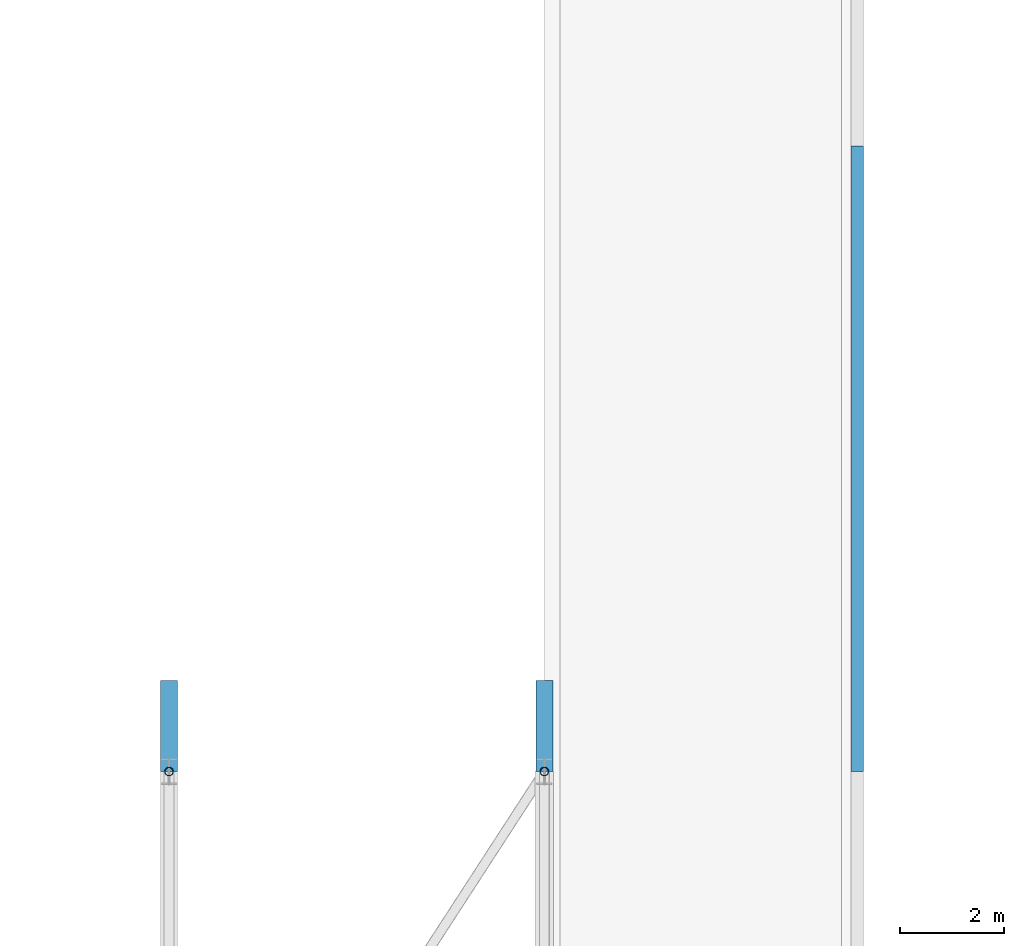
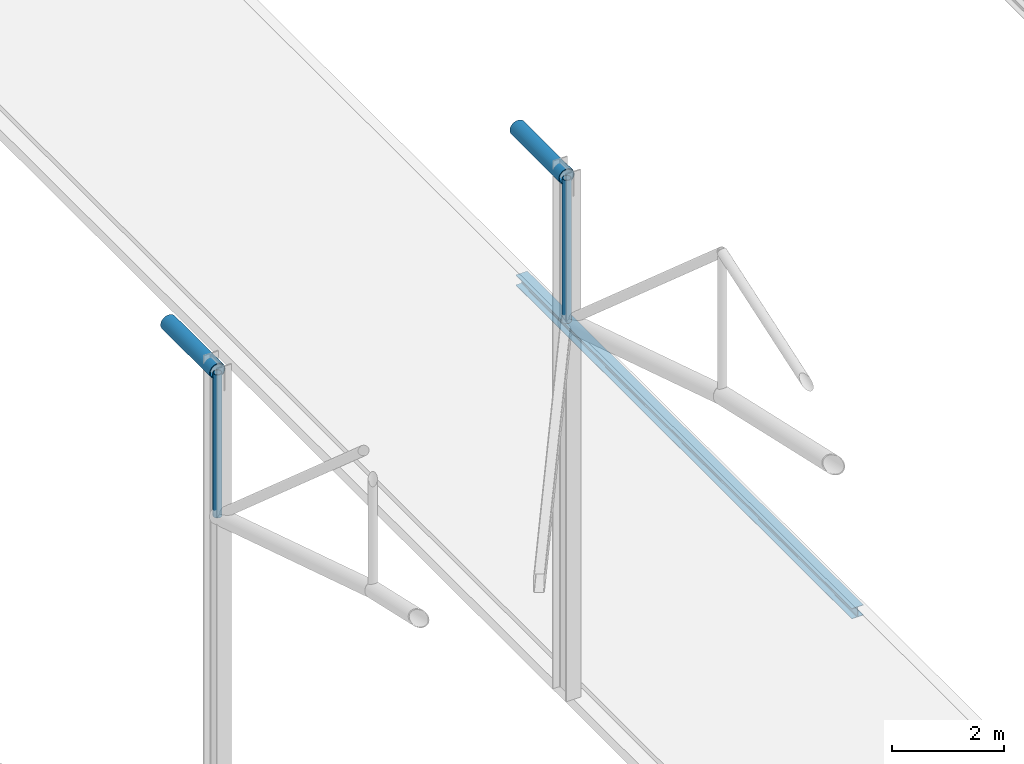
# One storey, part 75 of 153: 3 beams, 2 members.
"""IFC4 building model written with IfcOpenShell, lengths in metres."""

import ifcopenshell
import ifcopenshell.guid

model = None  # the IFC model being written
_history = None  # IfcOwnerHistory: only IFC2X3 demands one
_inside = {}  # id of a spatial element -> (the spatial element, [elements in it])
_under = {}  # id of a project, library or spatial element -> (it, [spatial elements below it])
_declared = {}  # id of a project -> (the project, [libraries it declares])
_typed = {}  # id of a type object -> (the type object, [elements of that type])
_made_of = {}  # id of a material, layer set ... -> (it, [elements and type objects made of it])


def new_model(schema):
    """Start an empty IFC model of exactly this schema.

    Asked for "IFC4X3", IfcOpenShell would pick the latest addendum, in which some entities
    have other attributes; the version numbers below select the first issue.
    IFC2X3 requires an IfcOwnerHistory on every rooted entity: one is made here for all.
    """
    global model, _history
    if schema == "IFC4X3":
        model = ifcopenshell.file(schema_version=(4, 3, 0, 0))
    else:
        model = ifcopenshell.file(schema=schema)
    _inside.clear()
    _under.clear()
    _declared.clear()
    _typed.clear()
    _made_of.clear()
    _history = None
    if model.schema == "IFC2X3":
        org = make("IfcOrganization", Name="unknown")
        user = make(
            "IfcPersonAndOrganization",
            ThePerson=make("IfcPerson", FamilyName="unknown"),
            TheOrganization=org,
        )
        app = make(
            "IfcApplication",
            ApplicationDeveloper=org,
            Version="unknown",
            ApplicationFullName="unknown",
            ApplicationIdentifier="unknown",
        )
        _history = make(
            "IfcOwnerHistory",
            OwningUser=user,
            OwningApplication=app,
            ChangeAction="ADDED",
            CreationDate=0,
        )
    return model


def make(cls, **values):
    """One entity of the class cls with the attributes given. An attribute that is None is left unset."""
    return model.create_entity(
        cls, **{name: value for name, value in values.items() if value is not None}
    )


def rooted(cls, **values):
    """An entity with a GlobalId (a new one), such as an element, a storey or a relation."""
    return make(cls, GlobalId=ifcopenshell.guid.new(), OwnerHistory=_history, **values)


def si_unit(unit_type, name, prefix=None):
    """IfcSIUnit, for example si_unit("LENGTHUNIT", "METRE", prefix="MILLI")."""
    return make("IfcSIUnit", UnitType=unit_type, Prefix=prefix, Name=name)


def derived_unit(unit_type, elements):
    """IfcDerivedUnit: a product of units, each with its exponent."""
    return make(
        "IfcDerivedUnit",
        Elements=[
            make("IfcDerivedUnitElement", Unit=unit, Exponent=power)
            for unit, power in elements
        ],
        UnitType=unit_type,
    )


def assignment(units):
    """IfcUnitAssignment: the units of a project."""
    return None if units is None else make("IfcUnitAssignment", Units=units)


def point(xyz):
    """IfcCartesianPoint."""
    return None if xyz is None else make("IfcCartesianPoint", Coordinates=xyz)


def direction(xyz):
    """IfcDirection."""
    return None if xyz is None else make("IfcDirection", DirectionRatios=xyz)


def frame(location, z_axis=None, x_axis=None):
    """IfcAxis2Placement3D, a coordinate frame: its origin and axes. An axis left out is left unset."""
    return make(
        "IfcAxis2Placement3D",
        Location=point(location),
        Axis=direction(z_axis),
        RefDirection=direction(x_axis),
    )


def frame_2d(location, x_axis=None):
    """IfcAxis2Placement2D, a coordinate frame in the plane: its origin and x axis."""
    return make(
        "IfcAxis2Placement2D", Location=point(location), RefDirection=direction(x_axis)
    )


def origin():
    """The frame at (0, 0, 0) with its axes left unset."""
    return frame((0.0, 0.0, 0.0))


def origin_2d():
    """The frame at (0, 0) in the plane with its x axis left unset."""
    return frame_2d((0.0, 0.0))


def place(relative_to, where):
    """IfcLocalPlacement: puts the frame where relative to a parent placement (None: the world)."""
    return make(
        "IfcLocalPlacement", PlacementRelTo=relative_to, RelativePlacement=where
    )


def context(
    kind, dimensions, precision=None, world=None, true_north=None, identifier=None
):
    """IfcGeometricRepresentationContext, for example the 3D "Model" context."""
    return make(
        "IfcGeometricRepresentationContext",
        ContextIdentifier=identifier,
        ContextType=kind,
        CoordinateSpaceDimension=dimensions,
        Precision=precision,
        WorldCoordinateSystem=world,
        TrueNorth=true_north,
    )


def subcontext(parent, identifier, kind, view, scale=None):
    """IfcGeometricRepresentationSubContext, for example "Body" below "Model"."""
    return make(
        "IfcGeometricRepresentationSubContext",
        ContextIdentifier=identifier,
        ContextType=kind,
        ParentContext=parent,
        TargetScale=scale,
        TargetView=view,
    )


def project(units=None, contexts=None):
    """IfcProject with its units and contexts."""
    return rooted(
        "IfcProject",
        Name="project",
        RepresentationContexts=contexts,
        UnitsInContext=assignment(units),
    )


def spatial(cls, under=None, at=None, **own):
    """A site, building, storey or space (cls), placed at a placement, below another one or the project."""
    s = rooted(cls, ObjectPlacement=at, **own)
    if under is not None:
        _under.setdefault(under.id(), (under, []))[1].append(s)
    return s


def profile(cls, at=None, kind="AREA", **sizes):
    """A parametric profile (cls). Its sizes go by their IFC names, for example OverallWidth=200.0."""
    return make(cls, ProfileType=kind, Position=at, **sizes)


def hollow_circle(**sizes):
    """IfcCircleHollowProfileDef."""
    return profile("IfcCircleHollowProfileDef", **sizes)


def i_section(**sizes):
    """IfcIShapeProfileDef."""
    return profile("IfcIShapeProfileDef", **sizes)


def extrude(swept, where, along, depth):
    """IfcExtrudedAreaSolid: the profile swept, set in the frame where, extruded along a direction by depth."""
    return make(
        "IfcExtrudedAreaSolid",
        SweptArea=swept,
        Position=where,
        ExtrudedDirection=direction(along),
        Depth=depth,
    )


def shape(context_of_items, identifier, shape_type, items):
    """IfcShapeRepresentation: the items that make up one representation, for example the "Body"."""
    return make(
        "IfcShapeRepresentation",
        ContextOfItems=context_of_items,
        RepresentationIdentifier=identifier,
        RepresentationType=shape_type,
        Items=items,
    )


def material(Name=None, Category=None):
    """IfcMaterial."""
    return make("IfcMaterial", Name=Name, Category=Category)


def material_profile(
    of_material, cross_section, Name=None, Category=None, Priority=None
):
    """IfcMaterialProfile: a cross section and its material."""
    return make(
        "IfcMaterialProfile",
        Name=Name,
        Material=of_material,
        Profile=cross_section,
        Priority=Priority,
        Category=Category,
    )


def profile_set(profiles, Name=None, composite=None):
    """IfcMaterialProfileSet."""
    return make(
        "IfcMaterialProfileSet",
        Name=Name,
        MaterialProfiles=profiles,
        CompositeProfile=composite,
    )


def made_of(thing, what):
    """Note that an element or type object is made of a material, layer set ...; save() writes the relation."""
    if what is not None:
        _made_of.setdefault(what.id(), (what, []))[1].append(thing)
    return thing


def type_object(cls, material=None, **own):
    """A type object (cls), such as IfcWallType, which elements share."""
    return made_of(rooted(cls, **own), material)


def element(
    cls,
    number,
    at=None,
    inside=None,
    cuts=None,
    type_object=None,
    material=None,
    context=None,
    identifier="Body",
    shape_type=None,
    held_by="IfcProductDefinitionShape",
    body=None,
    shapes=None,
    **own,
):
    """One element of the class cls, such as IfcWall. Its Tag is "e" and its number.

    at: its placement. inside: the storey or other place that contains it. cuts: it is an
    opening in that element (IfcRelVoidsElement). A single representation is given by context,
    identifier, shape_type and body (its items); several are given by shapes. held_by: the class
    of the entity that holds the representations. save() writes the other relations.
    """
    e = rooted(cls, Tag="e%d" % number, ObjectPlacement=at, **own)
    if body is not None:
        shapes = [shape(context, identifier, shape_type, body)]
    if shapes is not None:
        e.Representation = make(held_by, Representations=shapes)
    if inside is not None:
        _inside.setdefault(inside.id(), (inside, []))[1].append(e)
    if cuts is not None:
        rooted(
            "IfcRelVoidsElement", RelatingBuildingElement=cuts, RelatedOpeningElement=e
        )
    if type_object is not None:
        _typed.setdefault(type_object.id(), (type_object, []))[1].append(e)
    return made_of(e, material)


def aggregate(whole, parts):
    """IfcRelAggregates: a whole, such as a stair, and the parts it consists of."""
    return rooted("IfcRelAggregates", RelatingObject=whole, RelatedObjects=parts)


def save(model, path):
    """Write the relations noted so far, then the file.

    IfcRelAggregates (storeys below a building ...), IfcRelContainedInSpatialStructure (elements
    in a storey), IfcRelDefinesByType, IfcRelAssociatesMaterial and IfcRelDeclares: one each for
    every whole, place, type object, material and project.
    """
    for whole, parts in _under.values():
        aggregate(whole, parts)
    for where, things in _inside.values():
        rooted(
            "IfcRelContainedInSpatialStructure",
            RelatedElements=things,
            RelatingStructure=where,
        )
    for kind, things in _typed.values():
        rooted("IfcRelDefinesByType", RelatedObjects=things, RelatingType=kind)
    for what, things in _made_of.values():
        rooted("IfcRelAssociatesMaterial", RelatedObjects=things, RelatingMaterial=what)
    for by, libraries in _declared.values():
        rooted("IfcRelDeclares", RelatingContext=by, RelatedDefinitions=libraries)
    model.write(path)


model = new_model("IFC4")

# Units and contexts
model_context = context("Model", 3, precision=1e-05, world=origin(), true_north=direction((0.0, 1.0)))
body_context = subcontext(model_context, "Body", "Model", "MODEL_VIEW")
ifc_project = project(units=[si_unit("LENGTHUNIT", "METRE"), si_unit("AREAUNIT", "SQUARE_METRE"), si_unit("VOLUMEUNIT", "CUBIC_METRE"), si_unit("PLANEANGLEUNIT", "RADIAN"), si_unit("MASSUNIT", "GRAM", prefix="KILO"), derived_unit("THERMALTRANSMITTANCEUNIT", [(si_unit("POWERUNIT", "WATT"), 1), (si_unit("LENGTHUNIT", "METRE"), -2), (si_unit("THERMODYNAMICTEMPERATUREUNIT", "KELVIN"), -1)])], contexts=[model_context])

# Site, building, storey
site_placement = place(None, origin())
site = spatial("IfcSite", under=ifc_project, at=site_placement, CompositionType="ELEMENT")
building_placement = place(site_placement, origin())
building = spatial("IfcBuilding", under=site, at=building_placement, Name="Keldorne Ridge Multi-Sports Centre", CompositionType="ELEMENT")
storey_placement = place(building_placement, frame((0.0, 0.0, 9.60009765625)))
storey = spatial("IfcBuildingStorey", under=building, at=storey_placement, Name="L02", CompositionType="ELEMENT", Elevation=9.60009765625)

# Beams
ifc_material = material(Name="Steel S355", Category="steel")
ifc_material_profile_1 = material_profile(ifc_material, hollow_circle(Radius=0.161865234375, WallThickness=0.01611328125, at=origin_2d()), Name="CHS 323.9x16")
ifc_profile_set_1 = profile_set([ifc_material_profile_1], Name="Steel S355")
beam_type_1 = type_object("IfcBeamType", Name="BM-B-19", PredefinedType="BEAM", material=ifc_profile_set_1)
for number, where, z_axis, x_axis, name in (
    (1, (70.800048828125, 54.0, 9.52978515625), (0.0, 1.0, 0.0), (-1.0, 0.0, 0.0), "North eave bracket rafter 10"),
    (2, (78.0, 54.0, 11.25), (0.0, 1.0, 0.0), (-1.0, 0.0, 0.0), "North eave bracket rafter 11"),
):
    element("IfcBeam", number, at=place(storey_placement, frame(where, z_axis=z_axis, x_axis=x_axis)), inside=storey, type_object=beam_type_1, Name=name, PredefinedType="BEAM", context=body_context, shape_type="SweptSolid", body=[
        extrude(hollow_circle(Radius=0.161865234375, WallThickness=0.01611328125, at=origin_2d()), origin(), (0.0, 0.0, 1.0), 1.75),
    ])
ifc_material_profile_2 = material_profile(ifc_material, i_section(OverallWidth=0.239990234375, OverallDepth=0.22998046875, WebThickness=0.007568359375, FlangeThickness=0.011962890625, FilletRadius=0.02099609375, at=origin_2d()), Name="HEA 240")
ifc_profile_set_2 = profile_set([ifc_material_profile_2], Name="Steel S355")
beam_type_2 = type_object("IfcBeamType", Name="BM-SP-05", PredefinedType="SPANDREL", material=ifc_profile_set_2)
beam_placement = place(storey_placement, frame((84.0, 54.0, -0.34521484375), z_axis=(0.0, 1.0, 0.0), x_axis=(-1.0, 0.0, 0.0)))
element("IfcBeam", 3, at=beam_placement, inside=storey, type_object=beam_type_2, Name="L02 passage roof beam G12.7", PredefinedType="SPANDREL", context=body_context, shape_type="SweptSolid", body=[
    extrude(i_section(OverallWidth=0.239990234375, OverallDepth=0.22998046875, WebThickness=0.007568359375, FlangeThickness=0.011962890625, FilletRadius=0.02099609375, at=origin_2d()), origin(), (0.0, 0.0, 1.0), 12.0),
])

# Members
ifc_material_profile_3 = material_profile(ifc_material, hollow_circle(Radius=0.084228515625, WallThickness=0.010009765625, at=origin_2d()), Name="CHS 168.3x10")
ifc_profile_set_3 = profile_set([ifc_material_profile_3], Name="Steel S355")
member_type = type_object("IfcMemberType", Name="MEM-TV-01", PredefinedType="STRUT", material=ifc_profile_set_3)
for number, where, z_axis, x_axis, name in (
    (4, (70.800048828125, 54.0, 6.3798828125), (0.0, 0.0, 1.0), (1.0, 0.0, 0.0), "Main Hall ROOF TRUSS AT-10 vertical 9"),
    (5, (78.0, 54.0, 8.099853515625), (0.0, 0.0, 1.0), (1.0, 0.0, 0.0), "Main Hall ROOF TRUSS AT-11 vertical 9"),
):
    element("IfcMember", number, at=place(storey_placement, frame(where, z_axis=z_axis, x_axis=x_axis)), inside=storey, type_object=member_type, Name=name, PredefinedType="STRUT", context=body_context, shape_type="SweptSolid", body=[
        extrude(hollow_circle(Radius=0.084228515625, WallThickness=0.010009765625, at=origin_2d()), origin(), (0.0, 0.0, 1.0), 3.1201171875),
    ])

save(model, "model.ifc")
